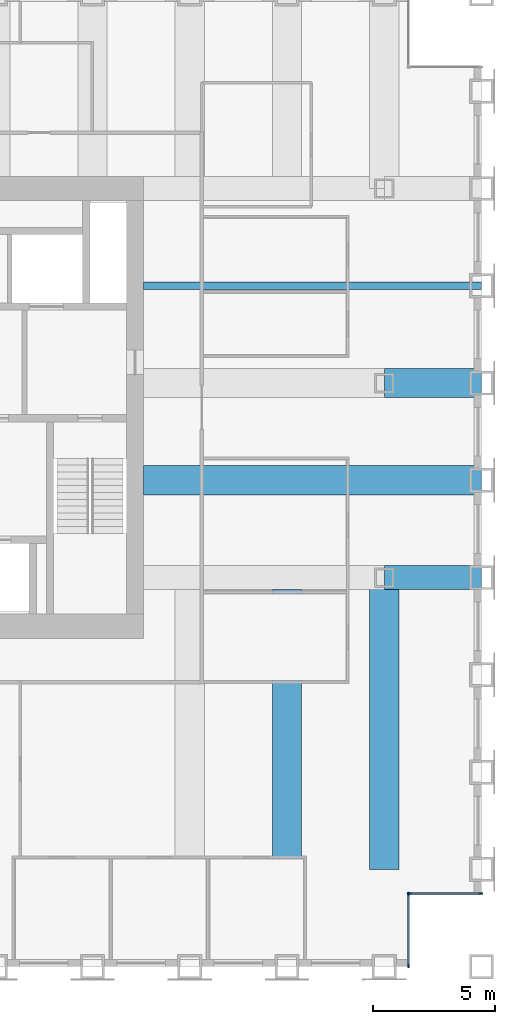
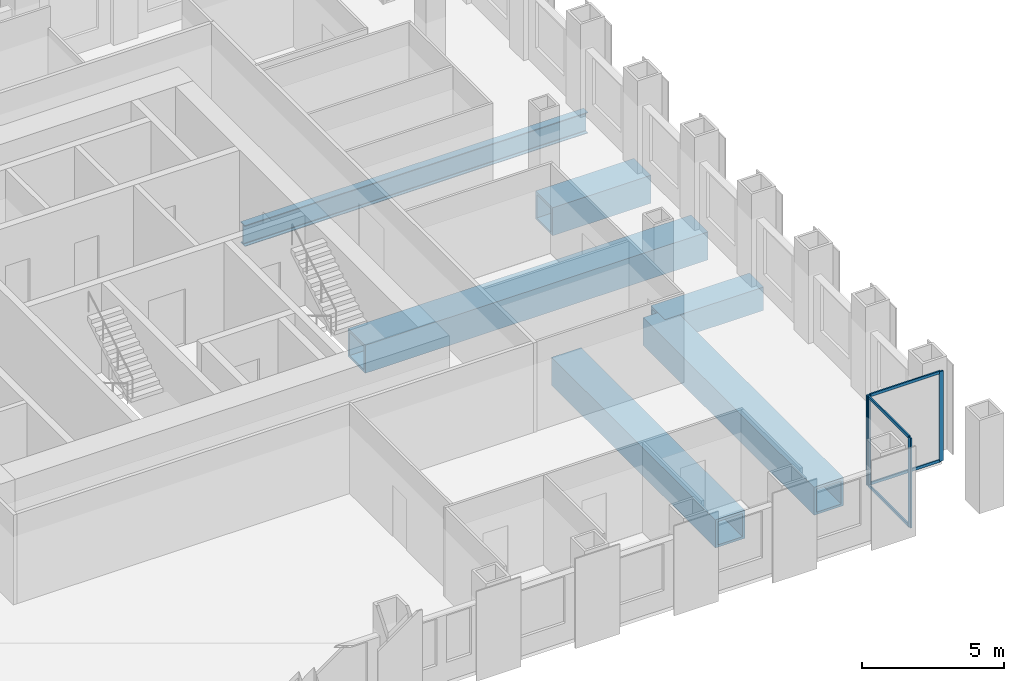
# One storey, part 4 of 11: 8 members, 6 beams, 2 elements without a shape of their own.
"""IFC4 building model written with IfcOpenShell, lengths in metres."""

import ifcopenshell
import ifcopenshell.guid

model = None  # the IFC model being written
_history = None  # IfcOwnerHistory: only IFC2X3 demands one
_inside = {}  # id of a spatial element -> (the spatial element, [elements in it])
_under = {}  # id of a project, library or spatial element -> (it, [spatial elements below it])
_declared = {}  # id of a project -> (the project, [libraries it declares])
_typed = {}  # id of a type object -> (the type object, [elements of that type])
_made_of = {}  # id of a material, layer set ... -> (it, [elements and type objects made of it])


def new_model(schema):
    """Start an empty IFC model of exactly this schema.

    Asked for "IFC4X3", IfcOpenShell would pick the latest addendum, in which some entities
    have other attributes; the version numbers below select the first issue.
    IFC2X3 requires an IfcOwnerHistory on every rooted entity: one is made here for all.
    """
    global model, _history
    if schema == "IFC4X3":
        model = ifcopenshell.file(schema_version=(4, 3, 0, 0))
    else:
        model = ifcopenshell.file(schema=schema)
    _inside.clear()
    _under.clear()
    _declared.clear()
    _typed.clear()
    _made_of.clear()
    _history = None
    if model.schema == "IFC2X3":
        org = make("IfcOrganization", Name="unknown")
        user = make(
            "IfcPersonAndOrganization",
            ThePerson=make("IfcPerson", FamilyName="unknown"),
            TheOrganization=org,
        )
        app = make(
            "IfcApplication",
            ApplicationDeveloper=org,
            Version="unknown",
            ApplicationFullName="unknown",
            ApplicationIdentifier="unknown",
        )
        _history = make(
            "IfcOwnerHistory",
            OwningUser=user,
            OwningApplication=app,
            ChangeAction="ADDED",
            CreationDate=0,
        )
    return model


def make(cls, **values):
    """One entity of the class cls with the attributes given. An attribute that is None is left unset."""
    return model.create_entity(
        cls, **{name: value for name, value in values.items() if value is not None}
    )


def rooted(cls, **values):
    """An entity with a GlobalId (a new one), such as an element, a storey or a relation."""
    return make(cls, GlobalId=ifcopenshell.guid.new(), OwnerHistory=_history, **values)


def si_unit(unit_type, name, prefix=None):
    """IfcSIUnit, for example si_unit("LENGTHUNIT", "METRE", prefix="MILLI")."""
    return make("IfcSIUnit", UnitType=unit_type, Prefix=prefix, Name=name)


def assignment(units):
    """IfcUnitAssignment: the units of a project."""
    return None if units is None else make("IfcUnitAssignment", Units=units)


def point(xyz):
    """IfcCartesianPoint."""
    return None if xyz is None else make("IfcCartesianPoint", Coordinates=xyz)


def direction(xyz):
    """IfcDirection."""
    return None if xyz is None else make("IfcDirection", DirectionRatios=xyz)


def frame(location, z_axis=None, x_axis=None):
    """IfcAxis2Placement3D, a coordinate frame: its origin and axes. An axis left out is left unset."""
    return make(
        "IfcAxis2Placement3D",
        Location=point(location),
        Axis=direction(z_axis),
        RefDirection=direction(x_axis),
    )


def frame_2d(location, x_axis=None):
    """IfcAxis2Placement2D, a coordinate frame in the plane: its origin and x axis."""
    return make(
        "IfcAxis2Placement2D", Location=point(location), RefDirection=direction(x_axis)
    )


def origin():
    """The frame at (0, 0, 0) with its axes left unset."""
    return frame((0.0, 0.0, 0.0))


def origin_2d():
    """The frame at (0, 0) in the plane with its x axis left unset."""
    return frame_2d((0.0, 0.0))


def place(relative_to, where):
    """IfcLocalPlacement: puts the frame where relative to a parent placement (None: the world)."""
    return make(
        "IfcLocalPlacement", PlacementRelTo=relative_to, RelativePlacement=where
    )


def context(
    kind, dimensions, precision=None, world=None, true_north=None, identifier=None
):
    """IfcGeometricRepresentationContext, for example the 3D "Model" context."""
    return make(
        "IfcGeometricRepresentationContext",
        ContextIdentifier=identifier,
        ContextType=kind,
        CoordinateSpaceDimension=dimensions,
        Precision=precision,
        WorldCoordinateSystem=world,
        TrueNorth=true_north,
    )


def subcontext(parent, identifier, kind, view, scale=None):
    """IfcGeometricRepresentationSubContext, for example "Body" below "Model"."""
    return make(
        "IfcGeometricRepresentationSubContext",
        ContextIdentifier=identifier,
        ContextType=kind,
        ParentContext=parent,
        TargetScale=scale,
        TargetView=view,
    )


def project(units=None, contexts=None):
    """IfcProject with its units and contexts."""
    return rooted(
        "IfcProject",
        Name="project",
        RepresentationContexts=contexts,
        UnitsInContext=assignment(units),
    )


def spatial(cls, under=None, at=None, **own):
    """A site, building, storey or space (cls), placed at a placement, below another one or the project."""
    s = rooted(cls, ObjectPlacement=at, **own)
    if under is not None:
        _under.setdefault(under.id(), (under, []))[1].append(s)
    return s


def profile(cls, at=None, kind="AREA", **sizes):
    """A parametric profile (cls). Its sizes go by their IFC names, for example OverallWidth=200.0."""
    return make(cls, ProfileType=kind, Position=at, **sizes)


def rectangle(**sizes):
    """IfcRectangleProfileDef."""
    return profile("IfcRectangleProfileDef", **sizes)


def hollow_rectangle(**sizes):
    """IfcRectangleHollowProfileDef."""
    return profile("IfcRectangleHollowProfileDef", **sizes)


def i_section(**sizes):
    """IfcIShapeProfileDef."""
    return profile("IfcIShapeProfileDef", **sizes)


def extrude(swept, where, along, depth):
    """IfcExtrudedAreaSolid: the profile swept, set in the frame where, extruded along a direction by depth."""
    return make(
        "IfcExtrudedAreaSolid",
        SweptArea=swept,
        Position=where,
        ExtrudedDirection=direction(along),
        Depth=depth,
    )


def shape(context_of_items, identifier, shape_type, items):
    """IfcShapeRepresentation: the items that make up one representation, for example the "Body"."""
    return make(
        "IfcShapeRepresentation",
        ContextOfItems=context_of_items,
        RepresentationIdentifier=identifier,
        RepresentationType=shape_type,
        Items=items,
    )


def material(Name=None, Category=None):
    """IfcMaterial."""
    return make("IfcMaterial", Name=Name, Category=Category)


def material_profile(
    of_material, cross_section, Name=None, Category=None, Priority=None
):
    """IfcMaterialProfile: a cross section and its material."""
    return make(
        "IfcMaterialProfile",
        Name=Name,
        Material=of_material,
        Profile=cross_section,
        Priority=Priority,
        Category=Category,
    )


def profile_set(profiles, Name=None, composite=None):
    """IfcMaterialProfileSet."""
    return make(
        "IfcMaterialProfileSet",
        Name=Name,
        MaterialProfiles=profiles,
        CompositeProfile=composite,
    )


def made_of(thing, what):
    """Note that an element or type object is made of a material, layer set ...; save() writes the relation."""
    if what is not None:
        _made_of.setdefault(what.id(), (what, []))[1].append(thing)
    return thing


def type_object(cls, material=None, **own):
    """A type object (cls), such as IfcWallType, which elements share."""
    return made_of(rooted(cls, **own), material)


def element(
    cls,
    number,
    at=None,
    inside=None,
    cuts=None,
    type_object=None,
    material=None,
    context=None,
    identifier="Body",
    shape_type=None,
    held_by="IfcProductDefinitionShape",
    body=None,
    shapes=None,
    **own,
):
    """One element of the class cls, such as IfcWall. Its Tag is "e" and its number.

    at: its placement. inside: the storey or other place that contains it. cuts: it is an
    opening in that element (IfcRelVoidsElement). A single representation is given by context,
    identifier, shape_type and body (its items); several are given by shapes. held_by: the class
    of the entity that holds the representations. save() writes the other relations.
    """
    e = rooted(cls, Tag="e%d" % number, ObjectPlacement=at, **own)
    if body is not None:
        shapes = [shape(context, identifier, shape_type, body)]
    if shapes is not None:
        e.Representation = make(held_by, Representations=shapes)
    if inside is not None:
        _inside.setdefault(inside.id(), (inside, []))[1].append(e)
    if cuts is not None:
        rooted(
            "IfcRelVoidsElement", RelatingBuildingElement=cuts, RelatedOpeningElement=e
        )
    if type_object is not None:
        _typed.setdefault(type_object.id(), (type_object, []))[1].append(e)
    return made_of(e, material)


def aggregate(whole, parts):
    """IfcRelAggregates: a whole, such as a stair, and the parts it consists of."""
    return rooted("IfcRelAggregates", RelatingObject=whole, RelatedObjects=parts)


def save(model, path):
    """Write the relations noted so far, then the file.

    IfcRelAggregates (storeys below a building ...), IfcRelContainedInSpatialStructure (elements
    in a storey), IfcRelDefinesByType, IfcRelAssociatesMaterial and IfcRelDeclares: one each for
    every whole, place, type object, material and project.
    """
    for whole, parts in _under.values():
        aggregate(whole, parts)
    for where, things in _inside.values():
        rooted(
            "IfcRelContainedInSpatialStructure",
            RelatedElements=things,
            RelatingStructure=where,
        )
    for kind, things in _typed.values():
        rooted("IfcRelDefinesByType", RelatedObjects=things, RelatingType=kind)
    for what, things in _made_of.values():
        rooted("IfcRelAssociatesMaterial", RelatedObjects=things, RelatingMaterial=what)
    for by, libraries in _declared.values():
        rooted("IfcRelDeclares", RelatingContext=by, RelatedDefinitions=libraries)
    model.write(path)


model = new_model("IFC4")

# Units and contexts
model_context = context("Model", 3, precision=1e-05, world=origin(), true_north=direction((0.0, 1.0)))
body_context = subcontext(model_context, "Body", "Model", "MODEL_VIEW")
ifc_project = project(units=[si_unit("LENGTHUNIT", "METRE"), si_unit("AREAUNIT", "SQUARE_METRE"), si_unit("VOLUMEUNIT", "CUBIC_METRE"), si_unit("PLANEANGLEUNIT", "RADIAN"), si_unit("MASSUNIT", "GRAM", prefix="KILO")], contexts=[model_context])

# Site, building, storey
site_placement = place(None, origin())
site = spatial("IfcSite", under=ifc_project, at=site_placement, CompositionType="ELEMENT")
building_placement = place(site_placement, origin())
building = spatial("IfcBuilding", under=site, at=building_placement, Name="Rimbunsela Tower", CompositionType="ELEMENT")
storey_placement = place(building_placement, frame((0.0, 0.0, 242.199951171875)))
storey = spatial("IfcBuildingStorey", under=building, at=storey_placement, Name="L58", CompositionType="ELEMENT", Elevation=242.199951171875)

# Beams
ifc_material_1 = material(Name="Steel BJ 55 (fy 410 MPa)", Category="steel")
ifc_material_profile_1 = material_profile(ifc_material_1, hollow_rectangle(XDim=1.0, YDim=1.0, WallThickness=0.10009765625, at=origin_2d()), Name="BOX 1000x1000x100")
ifc_profile_set_1 = profile_set([ifc_material_profile_1], Name="Steel BJ 55 (fy 410 MPa)")
beam_type_1 = type_object("IfcBeamType", Name="Beam BOX 1000x1000x100", PredefinedType="BEAM", material=ifc_profile_set_1)
beam_1_placement = place(storey_placement, frame((46.0, 20.0, -0.64990234375), z_axis=(1.0, 0.0, 0.0), x_axis=(0.0, 1.0, 0.0)))
element("IfcBeam", 1, at=beam_1_placement, inside=storey, type_object=beam_type_1, Name="Beam B3 L58", PredefinedType="BEAM", context=body_context, shape_type="SweptSolid", body=[
    extrude(hollow_rectangle(XDim=1.0, YDim=1.0, WallThickness=0.10009765625, at=origin_2d()), origin(), (0.0, 0.0, 1.0), 4.0),
])
ifc_material_2 = material(Name="Steel BJ 55 (fy 410 MPa)", Category="steel")
ifc_material_profile_2 = material_profile(ifc_material_2, hollow_rectangle(XDim=1.199951171875, YDim=1.199951171875, WallThickness=0.10009765625, at=origin_2d()), Name="BOX 1200x1200x100")
ifc_profile_set_2 = profile_set([ifc_material_profile_2], Name="Steel BJ 55 (fy 410 MPa)")
beam_type_2 = type_object("IfcBeamType", Name="Beam BOX 1200x1200x100", PredefinedType="BEAM", material=ifc_profile_set_2)
beam_2_placement = place(storey_placement, frame((36.10009765625, 24.0, -0.75), z_axis=(1.0, 0.0, 0.0), x_axis=(0.0, 1.0, 0.0)))
element("IfcBeam", 2, at=beam_2_placement, inside=storey, type_object=beam_type_2, Name="Beam B5 L58", PredefinedType="BEAM", context=body_context, shape_type="SweptSolid", body=[
    extrude(hollow_rectangle(XDim=1.199951171875, YDim=1.199951171875, WallThickness=0.10009765625, at=origin_2d()), origin(), (0.0, 0.0, 1.0), 13.89990234375),
])
beam_3_placement = place(storey_placement, frame((42.0, 8.0, -0.75), z_axis=(0.0, 1.0, 0.0), x_axis=(-1.0, 0.0, 0.0)))
element("IfcBeam", 3, at=beam_3_placement, inside=storey, type_object=beam_type_2, Name="Beam B5 L58", PredefinedType="BEAM", context=body_context, shape_type="SweptSolid", body=[
    extrude(hollow_rectangle(XDim=1.199951171875, YDim=1.199951171875, WallThickness=0.10009765625, at=origin_2d()), origin(), (0.0, 0.0, 1.0), 11.5),
])
beam_4_placement = place(storey_placement, frame((46.0, 8.0, -0.75), z_axis=(0.0, 1.0, 0.0), x_axis=(-1.0, 0.0, 0.0)))
element("IfcBeam", 4, at=beam_4_placement, inside=storey, type_object=beam_type_2, Name="Beam B5 L58", PredefinedType="BEAM", context=body_context, shape_type="SweptSolid", body=[
    extrude(hollow_rectangle(XDim=1.199951171875, YDim=1.199951171875, WallThickness=0.10009765625, at=origin_2d()), origin(), (0.0, 0.0, 1.0), 12.0),
])
beam_5_placement = place(storey_placement, frame((46.0, 28.0, -0.75), z_axis=(1.0, 0.0, 0.0), x_axis=(0.0, 1.0, 0.0)))
element("IfcBeam", 5, at=beam_5_placement, inside=storey, type_object=beam_type_2, Name="Beam B5 L58", PredefinedType="BEAM", context=body_context, shape_type="SweptSolid", body=[
    extrude(hollow_rectangle(XDim=1.199951171875, YDim=1.199951171875, WallThickness=0.10009765625, at=origin_2d()), origin(), (0.0, 0.0, 1.0), 4.0),
])
ifc_material_3 = material(Name="Steel BJ 55 (fy 410 MPa)", Category="steel")
ifc_material_profile_3 = material_profile(ifc_material_3, i_section(OverallWidth=0.300048828125, OverallDepth=0.89990234375, WebThickness=0.01611328125, FlangeThickness=0.028076171875, FilletRadius=0.028076171875, at=origin_2d()), Name="H 900x300x16x28")
ifc_profile_set_3 = profile_set([ifc_material_profile_3], Name="Steel BJ 55 (fy 410 MPa)")
beam_type_3 = type_object("IfcBeamType", Name="Beam H 900x300x16x28", PredefinedType="BEAM", material=ifc_profile_set_3)
beam_6_placement = place(storey_placement, frame((36.10009765625, 32.0, -0.599853515625), z_axis=(1.0, 0.0, 0.0), x_axis=(0.0, 1.0, 0.0)))
element("IfcBeam", 6, at=beam_6_placement, inside=storey, type_object=beam_type_3, Name="Beam B2 L58", PredefinedType="BEAM", context=body_context, shape_type="SweptSolid", body=[
    extrude(i_section(OverallWidth=0.300048828125, OverallDepth=0.89990234375, WebThickness=0.01611328125, FlangeThickness=0.028076171875, FilletRadius=0.028076171875, at=origin_2d()), origin(), (0.0, 0.0, 1.0), 13.89990234375),
])

# Curtain wall, members
ifc_material_4 = material(Name="Aluminium curtain wall", Category="aluminium")
curtain_wall_type = type_object("IfcCurtainWallType", Name="Corner glazing", PredefinedType="USERDEFINED", material=ifc_material_4)
curtain_wall_1_placement = place(storey_placement, origin())
curtain_wall_1 = element("IfcCurtainWall", 7, at=curtain_wall_1_placement, inside=storey, type_object=curtain_wall_type, Name="Corner glazing L58", ObjectType="CORNER GLAZING", PredefinedType="USERDEFINED")
ifc_material_5 = material(Name="Aluminium mullion", Category="aluminium")
ifc_material_profile_4 = material_profile(ifc_material_5, rectangle(XDim=0.06005859375, YDim=0.159912109375, at=origin_2d()), Name="Mullion 60x160")
ifc_profile_set_4 = profile_set([ifc_material_profile_4], Name="Aluminium mullion")
member_type_1 = type_object("IfcMemberType", Name="Curtain wall mullion 60x160", PredefinedType="MULLION", material=ifc_profile_set_4)
member_1_placement = place(storey_placement, frame((47.0, 4.030029296875, 0.0), z_axis=(0.0, 0.0, 1.0), x_axis=(-1.0, 0.0, 0.0)))
member_1 = element("IfcMember", 8, at=member_1_placement, type_object=member_type_1, Name="CW5 mullion 1", PredefinedType="MULLION", context=body_context, shape_type="SweptSolid", body=[
    extrude(rectangle(XDim=0.06005859375, YDim=0.159912109375, at=origin_2d()), origin(), (0.0, 0.0, 1.0), 3.85009765625),
])
member_2_placement = place(storey_placement, frame((47.0, 6.969970703125, 0.0), z_axis=(0.0, 0.0, 1.0), x_axis=(-1.0, 0.0, 0.0)))
member_2 = element("IfcMember", 9, at=member_2_placement, type_object=member_type_1, Name="CW5 mullion 2", PredefinedType="MULLION", context=body_context, shape_type="SweptSolid", body=[
    extrude(rectangle(XDim=0.06005859375, YDim=0.159912109375, at=origin_2d()), origin(), (0.0, 0.0, 1.0), 3.85009765625),
])

curtain_wall_2_placement = place(storey_placement, origin())
curtain_wall_2 = element("IfcCurtainWall", 10, at=curtain_wall_2_placement, inside=storey, type_object=curtain_wall_type, Name="Corner glazing L58", ObjectType="CORNER GLAZING", PredefinedType="USERDEFINED")
member_3_placement = place(storey_placement, frame((47.030029296875, 7.0, 0.0), z_axis=(0.0, 0.0, 1.0), x_axis=(0.0, 1.0, 0.0)))
member_3 = element("IfcMember", 11, at=member_3_placement, type_object=member_type_1, Name="CW5 mullion 1", PredefinedType="MULLION", context=body_context, shape_type="SweptSolid", body=[
    extrude(rectangle(XDim=0.06005859375, YDim=0.159912109375, at=origin_2d()), origin(), (0.0, 0.0, 1.0), 3.85009765625),
])
member_4_placement = place(storey_placement, frame((49.969970703125, 7.0, 0.0), z_axis=(0.0, 0.0, 1.0), x_axis=(0.0, 1.0, 0.0)))
member_4 = element("IfcMember", 12, at=member_4_placement, type_object=member_type_1, Name="CW5 mullion 2", PredefinedType="MULLION", context=body_context, shape_type="SweptSolid", body=[
    extrude(rectangle(XDim=0.06005859375, YDim=0.159912109375, at=origin_2d()), origin(), (0.0, 0.0, 1.0), 3.85009765625),
])

# Member
ifc_material_6 = material(Name="Aluminium transom", Category="aluminium")
ifc_material_profile_5 = material_profile(ifc_material_6, rectangle(XDim=0.06005859375, YDim=0.1201171875, at=origin_2d()), Name="Transom 60x120")
ifc_profile_set_5 = profile_set([ifc_material_profile_5], Name="Aluminium transom")
member_type_2 = type_object("IfcMemberType", Name="Curtain wall transom 60x120", PredefinedType="USERDEFINED", material=ifc_profile_set_5)
member_5_placement = place(storey_placement, frame((47.0, 4.06005859375, 0.030029296875), z_axis=(0.0, 1.0, 0.0), x_axis=(-1.0, 0.0, 0.0)))
member_5 = element("IfcMember", 13, at=member_5_placement, type_object=member_type_2, Name="CW5 transom 1.1", ObjectType="TRANSOM", PredefinedType="USERDEFINED", context=body_context, shape_type="SweptSolid", body=[
    extrude(rectangle(XDim=0.06005859375, YDim=0.1201171875, at=origin_2d()), origin(), (0.0, 0.0, 1.0), 2.8798828125),
])

member_6_placement = place(storey_placement, frame((47.0, 4.06005859375, 3.820068359375), z_axis=(0.0, 1.0, 0.0), x_axis=(-1.0, 0.0, 0.0)))
member_6 = element("IfcMember", 14, at=member_6_placement, type_object=member_type_2, Name="CW5 transom 1.2", ObjectType="TRANSOM", PredefinedType="USERDEFINED", context=body_context, shape_type="SweptSolid", body=[
    extrude(rectangle(XDim=0.06005859375, YDim=0.1201171875, at=origin_2d()), origin(), (0.0, 0.0, 1.0), 2.8798828125),
])

aggregate(curtain_wall_1, [member_1, member_2, member_5, member_6])

member_7_placement = place(storey_placement, frame((47.06005859375, 7.0, 0.030029296875), z_axis=(1.0, 0.0, 0.0), x_axis=(0.0, 1.0, 0.0)))
member_7 = element("IfcMember", 15, at=member_7_placement, type_object=member_type_2, Name="CW5 transom 1.1", ObjectType="TRANSOM", PredefinedType="USERDEFINED", context=body_context, shape_type="SweptSolid", body=[
    extrude(rectangle(XDim=0.06005859375, YDim=0.1201171875, at=origin_2d()), origin(), (0.0, 0.0, 1.0), 2.8798828125),
])

member_8_placement = place(storey_placement, frame((47.06005859375, 7.0, 3.820068359375), z_axis=(1.0, 0.0, 0.0), x_axis=(0.0, 1.0, 0.0)))
member_8 = element("IfcMember", 16, at=member_8_placement, type_object=member_type_2, Name="CW5 transom 1.2", ObjectType="TRANSOM", PredefinedType="USERDEFINED", context=body_context, shape_type="SweptSolid", body=[
    extrude(rectangle(XDim=0.06005859375, YDim=0.1201171875, at=origin_2d()), origin(), (0.0, 0.0, 1.0), 2.8798828125),
])

aggregate(curtain_wall_2, [member_3, member_4, member_7, member_8])

save(model, "model.ifc")
